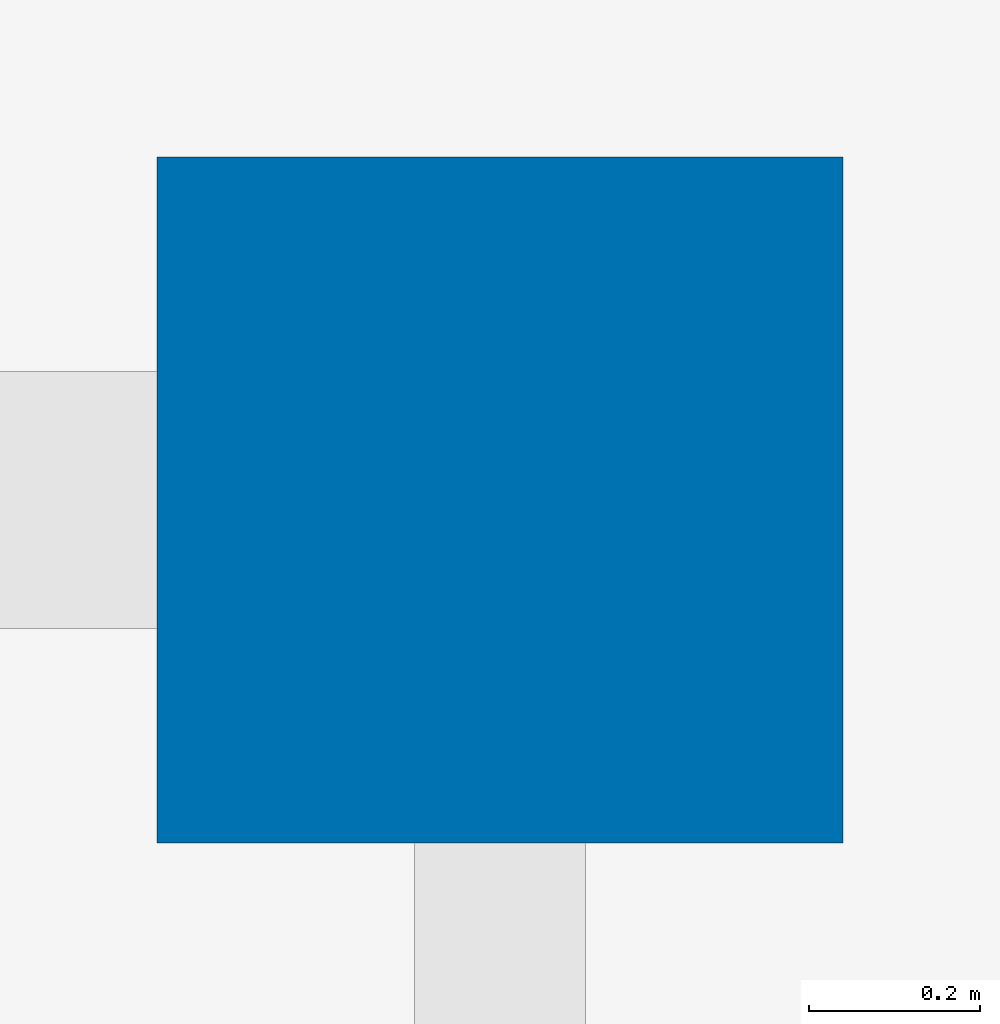
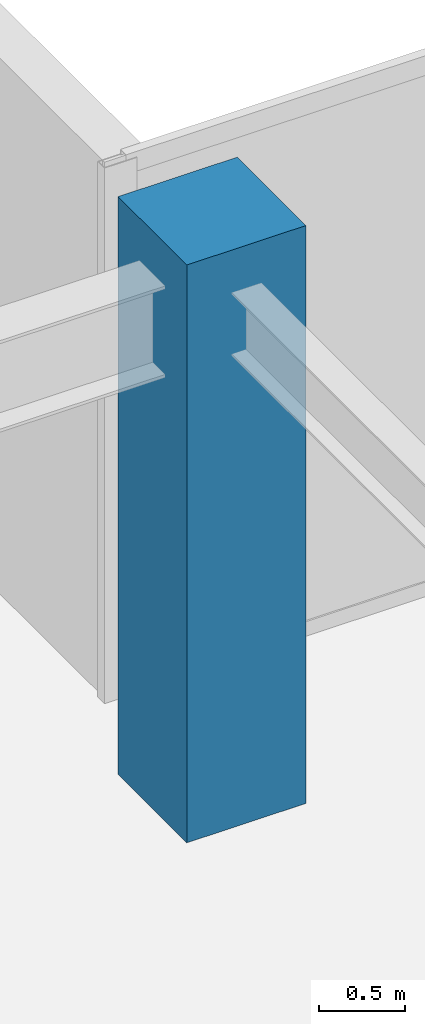
# One storey, part 4 of 33: 1 column.
"""IFC4 building model written with IfcOpenShell, lengths in metres."""

from ifc_helpers import new_model, si_unit, direction, frame, origin, origin_2d, place, context, subcontext, project, spatial, rectangle, extrude, source, transform, mapped, material, material_profile, profile_set, type_object, type_shapes, element, save


model = new_model("IFC4")

# Units and contexts
model_context = context("Model", 3, precision=1e-05, world=origin(), true_north=direction((0.0, 1.0)))
body_context = subcontext(model_context, "Body", "Model", "MODEL_VIEW")
ifc_project = project(units=[si_unit("LENGTHUNIT", "METRE"), si_unit("AREAUNIT", "SQUARE_METRE"), si_unit("VOLUMEUNIT", "CUBIC_METRE"), si_unit("PLANEANGLEUNIT", "RADIAN"), si_unit("MASSUNIT", "GRAM", prefix="KILO")], contexts=[model_context])

# Site, building, storey
site_placement = place(None, origin())
site = spatial("IfcSite", under=ifc_project, at=site_placement, CompositionType="ELEMENT")
building_placement = place(site_placement, origin())
building = spatial("IfcBuilding", under=site, at=building_placement, Name="Haelvirn Gate Laboratories", CompositionType="ELEMENT")
storey_placement = place(building_placement, frame((0.0, 0.0, 258.800048828125)))
storey = spatial("IfcBuildingStorey", under=building, at=storey_placement, Name="L62", CompositionType="ELEMENT", Elevation=258.800048828125)

# Column
ifc_material = material(Name="Concrete C50/60", Category="concrete")
ifc_material_profile = material_profile(ifc_material, rectangle(XDim=0.800048828125, YDim=0.800048828125, at=origin_2d()), Name="RC-800x800")
ifc_profile_set = profile_set([ifc_material_profile], Name="Concrete C50/60")
column_type = type_object("IfcColumnType", Name="COL-RC-800", PredefinedType="COLUMN", material=ifc_profile_set)
shared_shape = source(origin(), body_context, "Body", "SweptSolid", [
    extrude(rectangle(XDim=0.800048828125, YDim=0.800048828125, at=origin_2d()), origin(), (0.0, 0.0, 1.0), 4.099853515625),
])
type_shapes(column_type, [shared_shape])
column_placement = place(storey_placement, frame((67.39990234375, 41.60009765625, 0.0), z_axis=(0.0, 0.0, 1.0), x_axis=(1.0, 0.0, 0.0)))
element("IfcColumn", 1, at=column_placement, inside=storey, type_object=column_type, Name="L62 Column 10G", PredefinedType="COLUMN", context=body_context, shape_type="MappedRepresentation", body=[
    mapped(shared_shape, transform((0.0, 0.0, 0.0), scale=1.0)),
])

save(model, "model.ifc")
